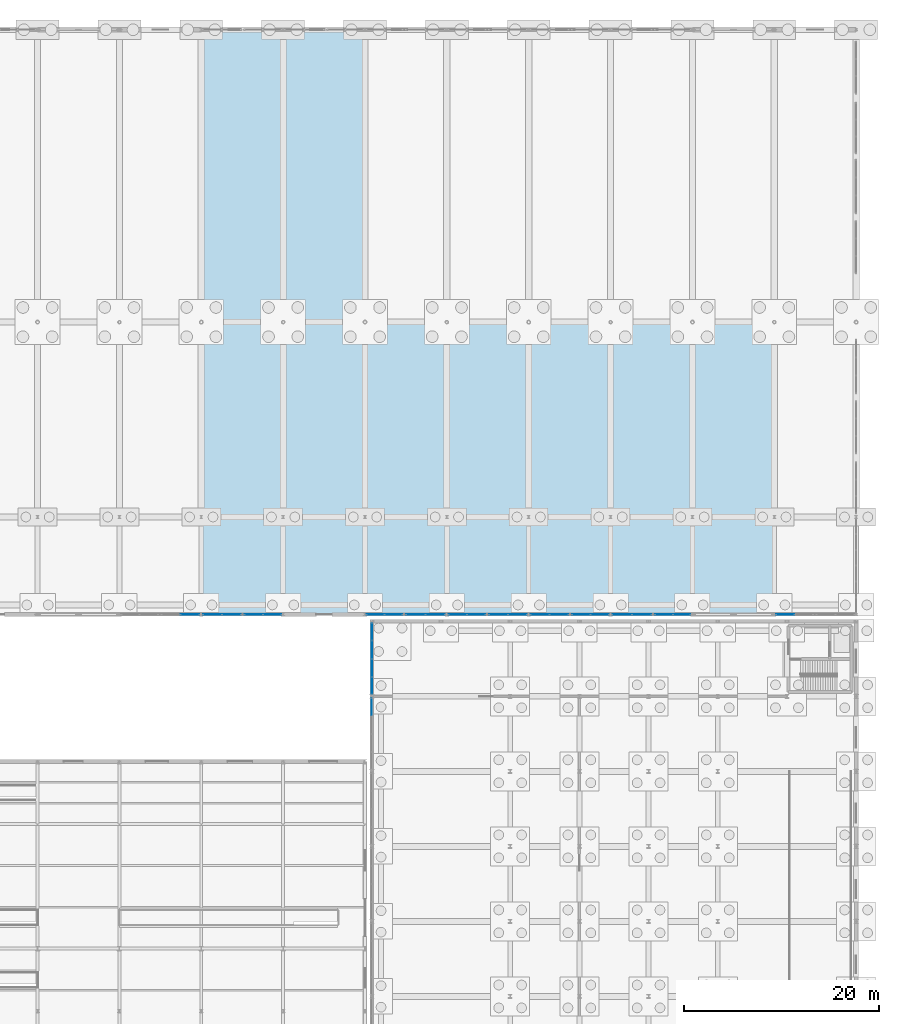
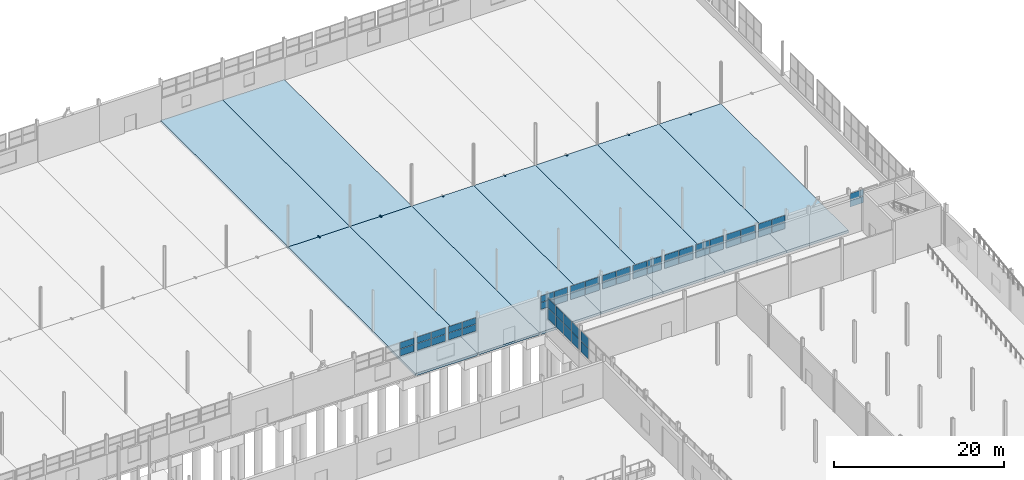
# One storey, part 108 of 139: 54 plates, 9 slabs, 14 elements without a shape of their own.
"""IFC4 building model written with IfcOpenShell, lengths in metres."""

from ifc_helpers import new_model, si_unit, direction, frame, origin, origin_2d, place, context, subcontext, project, spatial, polyline, rectangle, outline, extrude, material, layer, layer_set, type_object, element, aggregate, save


model = new_model("IFC4")

# Units and contexts
model_context = context("Model", 3, precision=1e-05, world=origin(), true_north=direction((0.0, 1.0)))
body_context = subcontext(model_context, "Body", "Model", "MODEL_VIEW")
ifc_project = project(units=[si_unit("LENGTHUNIT", "METRE"), si_unit("AREAUNIT", "SQUARE_METRE"), si_unit("VOLUMEUNIT", "CUBIC_METRE"), si_unit("PLANEANGLEUNIT", "RADIAN"), si_unit("MASSUNIT", "GRAM", prefix="KILO")], contexts=[model_context])

# Site, building, storey
site_placement = place(None, origin())
site = spatial("IfcSite", under=ifc_project, at=site_placement, CompositionType="ELEMENT")
building_placement = place(site_placement, origin())
building = spatial("IfcBuilding", under=site, at=building_placement, Name="Kazenagashi Tramway Depot", CompositionType="ELEMENT")
storey_placement = place(building_placement, origin())
storey = spatial("IfcBuildingStorey", under=building, at=storey_placement, Name="L01", CompositionType="ELEMENT", Elevation=0.0)

# Curtain wall, plates
ifc_material_1 = material(Name="Anodised Aluminium and Low-E Glazing", Category="aluminium")
curtain_wall_type_1 = type_object("IfcCurtainWallType", Name="CW-10", PredefinedType="USERDEFINED", material=ifc_material_1)
curtain_wall_1_placement = place(storey_placement, origin())
curtain_wall_1 = element("IfcCurtainWall", 1, at=curtain_wall_1_placement, inside=storey, type_object=curtain_wall_type_1, Name="Industrial Glazed Screen CW-10 CW-0050", ObjectType="GLAZED SCREEN", PredefinedType="USERDEFINED")
ifc_material_2 = material(Name="Tempered Laminated Low-E Glass", Category="glass")
ifc_layer_1 = layer(ifc_material_2, 0.018)
ifc_layer_set_1 = layer_set([ifc_layer_1], Name="Tempered Laminated Low-E Glass")
plate_type_1 = type_object("IfcPlateType", Name="GL-02", PredefinedType="CURTAIN_PANEL", material=ifc_layer_set_1)
plate_1_placement = place(storey_placement, frame((171.9775, 70.0, 3.26), z_axis=(0.0, 0.0, 1.0), x_axis=(1.0, 0.0, 0.0)))
plate_1 = element("IfcPlate", 2, at=plate_1_placement, type_object=plate_type_1, Name="CW-10 panel 1.1", PredefinedType="CURTAIN_PANEL", context=body_context, shape_type="SweptSolid", body=[
    extrude(rectangle(XDim=1.955, YDim=0.018, at=origin_2d()), origin(), (0.0, 0.0, 1.0), 0.974),
])
plate_2_placement = place(storey_placement, frame((171.9775, 70.0, 4.294), z_axis=(0.0, 0.0, 1.0), x_axis=(1.0, 0.0, 0.0)))
plate_2 = element("IfcPlate", 3, at=plate_2_placement, type_object=plate_type_1, Name="CW-10 panel 1.2", PredefinedType="CURTAIN_PANEL", context=body_context, shape_type="SweptSolid", body=[
    extrude(rectangle(XDim=1.955, YDim=0.018, at=origin_2d()), origin(), (0.0, 0.0, 1.0), 0.893),
])
plate_3_placement = place(storey_placement, frame((173.9925, 70.0, 3.26), z_axis=(0.0, 0.0, 1.0), x_axis=(1.0, 0.0, 0.0)))
plate_3 = element("IfcPlate", 4, at=plate_3_placement, type_object=plate_type_1, Name="CW-10 panel 2.1", PredefinedType="CURTAIN_PANEL", context=body_context, shape_type="SweptSolid", body=[
    extrude(rectangle(XDim=1.955, YDim=0.018, at=origin_2d()), origin(), (0.0, 0.0, 1.0), 0.974),
])
plate_4_placement = place(storey_placement, frame((173.9925, 70.0, 4.294), z_axis=(0.0, 0.0, 1.0), x_axis=(1.0, 0.0, 0.0)))
plate_4 = element("IfcPlate", 5, at=plate_4_placement, type_object=plate_type_1, Name="CW-10 panel 2.2", PredefinedType="CURTAIN_PANEL", context=body_context, shape_type="SweptSolid", body=[
    extrude(rectangle(XDim=1.955, YDim=0.018, at=origin_2d()), origin(), (0.0, 0.0, 1.0), 0.893),
])
aggregate(curtain_wall_1, [plate_1, plate_2, plate_3, plate_4])

curtain_wall_type_2 = type_object("IfcCurtainWallType", Name="CW-13", PredefinedType="USERDEFINED", material=ifc_material_1)
curtain_wall_2_placement = place(storey_placement, origin())
curtain_wall_2 = element("IfcCurtainWall", 6, at=curtain_wall_2_placement, inside=storey, type_object=curtain_wall_type_2, Name="Industrial Glazed Screen CW-13 CW-0035", ObjectType="GLAZED SCREEN", PredefinedType="USERDEFINED")
ifc_layer_2 = layer(ifc_material_2, 0.02)
ifc_layer_set_2 = layer_set([ifc_layer_2], Name="Tempered Laminated Low-E Glass")
plate_type_2 = type_object("IfcPlateType", Name="GL-03", PredefinedType="CURTAIN_PANEL", material=ifc_layer_set_2)
plate_5_placement = place(storey_placement, frame((127.6525, 70.0, 3.26), z_axis=(0.0, 0.0, 1.0), x_axis=(1.0, 0.0, 0.0)))
plate_5 = element("IfcPlate", 7, at=plate_5_placement, type_object=plate_type_2, Name="CW-13 panel 2.1", PredefinedType="CURTAIN_PANEL", context=body_context, shape_type="SweptSolid", body=[
    extrude(rectangle(XDim=1.895, YDim=0.02, at=origin_2d()), origin(), (0.0, 0.0, 1.0), 0.974),
])
plate_6_placement = place(storey_placement, frame((127.6525, 70.0, 4.294), z_axis=(0.0, 0.0, 1.0), x_axis=(1.0, 0.0, 0.0)))
plate_6 = element("IfcPlate", 8, at=plate_6_placement, type_object=plate_type_2, Name="CW-13 panel 2.2", PredefinedType="CURTAIN_PANEL", context=body_context, shape_type="SweptSolid", body=[
    extrude(rectangle(XDim=1.895, YDim=0.02, at=origin_2d()), origin(), (0.0, 0.0, 1.0), 0.893),
])
aggregate(curtain_wall_2, [plate_5, plate_6])

curtain_wall_type_3 = type_object("IfcCurtainWallType", Name="CW-09", PredefinedType="USERDEFINED", material=ifc_material_1)
curtain_wall_3_placement = place(storey_placement, origin())
curtain_wall_3 = element("IfcCurtainWall", 9, at=curtain_wall_3_placement, inside=storey, type_object=curtain_wall_type_3, Name="Industrial Glazed Screen CW-09 CW-0051", ObjectType="GLAZED SCREEN", PredefinedType="USERDEFINED")
plate_7_placement = place(storey_placement, frame((176.2775, 70.0, 3.26), z_axis=(0.0, 0.0, 1.0), x_axis=(1.0, 0.0, 0.0)))
plate_7 = element("IfcPlate", 10, at=plate_7_placement, type_object=plate_type_2, Name="CW-09 panel 1.1", PredefinedType="CURTAIN_PANEL", context=body_context, shape_type="SweptSolid", body=[
    extrude(rectangle(XDim=1.775, YDim=0.02, at=origin_2d()), origin(), (0.0, 0.0, 1.0), 0.974),
])
plate_8_placement = place(storey_placement, frame((176.2775, 70.0, 4.294), z_axis=(0.0, 0.0, 1.0), x_axis=(1.0, 0.0, 0.0)))
plate_8 = element("IfcPlate", 11, at=plate_8_placement, type_object=plate_type_2, Name="CW-09 panel 1.2", PredefinedType="CURTAIN_PANEL", context=body_context, shape_type="SweptSolid", body=[
    extrude(rectangle(XDim=1.775, YDim=0.02, at=origin_2d()), origin(), (0.0, 0.0, 1.0), 0.893),
])
plate_9_placement = place(storey_placement, frame((178.1125, 70.0, 3.26), z_axis=(0.0, 0.0, 1.0), x_axis=(1.0, 0.0, 0.0)))
plate_9 = element("IfcPlate", 12, at=plate_9_placement, type_object=plate_type_2, Name="CW-09 panel 2.1", PredefinedType="CURTAIN_PANEL", context=body_context, shape_type="SweptSolid", body=[
    extrude(rectangle(XDim=1.775, YDim=0.02, at=origin_2d()), origin(), (0.0, 0.0, 1.0), 0.974),
])
plate_10_placement = place(storey_placement, frame((178.1125, 70.0, 4.294), z_axis=(0.0, 0.0, 1.0), x_axis=(1.0, 0.0, 0.0)))
plate_10 = element("IfcPlate", 13, at=plate_10_placement, type_object=plate_type_2, Name="CW-09 panel 2.2", PredefinedType="CURTAIN_PANEL", context=body_context, shape_type="SweptSolid", body=[
    extrude(rectangle(XDim=1.775, YDim=0.02, at=origin_2d()), origin(), (0.0, 0.0, 1.0), 0.893),
])
aggregate(curtain_wall_3, [plate_7, plate_8, plate_9, plate_10])

curtain_wall_4_placement = place(storey_placement, origin())
curtain_wall_4 = element("IfcCurtainWall", 14, at=curtain_wall_4_placement, inside=storey, type_object=curtain_wall_type_2, Name="Industrial Glazed Screen CW-13 CW-0037", ObjectType="GLAZED SCREEN", PredefinedType="USERDEFINED")
ifc_layer_3 = layer(ifc_material_2, 0.024)
ifc_layer_set_3 = layer_set([ifc_layer_3], Name="Tempered Laminated Low-E Glass")
plate_type_3 = type_object("IfcPlateType", Name="GL-05", PredefinedType="CURTAIN_PANEL", material=ifc_layer_set_3)
plate_11_placement = place(storey_placement, frame((129.9475, 70.0, 3.26), z_axis=(0.0, 0.0, 1.0), x_axis=(1.0, 0.0, 0.0)))
plate_11 = element("IfcPlate", 15, at=plate_11_placement, type_object=plate_type_3, Name="CW-13 panel 1.1", PredefinedType="CURTAIN_PANEL", context=body_context, shape_type="SweptSolid", body=[
    extrude(rectangle(XDim=1.895, YDim=0.024, at=origin_2d()), origin(), (0.0, 0.0, 1.0), 0.974),
])
plate_12_placement = place(storey_placement, frame((129.9475, 70.0, 4.294), z_axis=(0.0, 0.0, 1.0), x_axis=(1.0, 0.0, 0.0)))
plate_12 = element("IfcPlate", 16, at=plate_12_placement, type_object=plate_type_3, Name="CW-13 panel 1.2", PredefinedType="CURTAIN_PANEL", context=body_context, shape_type="SweptSolid", body=[
    extrude(rectangle(XDim=1.895, YDim=0.024, at=origin_2d()), origin(), (0.0, 0.0, 1.0), 0.893),
])
plate_13_placement = place(storey_placement, frame((131.9025, 70.0, 3.26), z_axis=(0.0, 0.0, 1.0), x_axis=(1.0, 0.0, 0.0)))
plate_13 = element("IfcPlate", 17, at=plate_13_placement, type_object=plate_type_3, Name="CW-13 panel 2.1", PredefinedType="CURTAIN_PANEL", context=body_context, shape_type="SweptSolid", body=[
    extrude(rectangle(XDim=1.895, YDim=0.024, at=origin_2d()), origin(), (0.0, 0.0, 1.0), 0.974),
])
plate_14_placement = place(storey_placement, frame((131.9025, 70.0, 4.294), z_axis=(0.0, 0.0, 1.0), x_axis=(1.0, 0.0, 0.0)))
plate_14 = element("IfcPlate", 18, at=plate_14_placement, type_object=plate_type_3, Name="CW-13 panel 2.2", PredefinedType="CURTAIN_PANEL", context=body_context, shape_type="SweptSolid", body=[
    extrude(rectangle(XDim=1.895, YDim=0.024, at=origin_2d()), origin(), (0.0, 0.0, 1.0), 0.893),
])
aggregate(curtain_wall_4, [plate_11, plate_12, plate_13, plate_14])

curtain_wall_type_4 = type_object("IfcCurtainWallType", Name="CW-12", PredefinedType="USERDEFINED", material=ifc_material_1)
curtain_wall_5_placement = place(storey_placement, origin())
curtain_wall_5 = element("IfcCurtainWall", 19, at=curtain_wall_5_placement, inside=storey, type_object=curtain_wall_type_4, Name="Industrial Glazed Screen CW-12 CW-0053", ObjectType="GLAZED SCREEN", PredefinedType="USERDEFINED")
plate_15_placement = place(storey_placement, frame((188.7175, 70.0, 3.26), z_axis=(0.0, 0.0, 1.0), x_axis=(1.0, 0.0, 0.0)))
plate_15 = element("IfcPlate", 20, at=plate_15_placement, type_object=plate_type_3, Name="CW-12 panel 1.1", PredefinedType="CURTAIN_PANEL", context=body_context, shape_type="SweptSolid", body=[
    extrude(rectangle(XDim=1.835, YDim=0.024, at=origin_2d()), origin(), (0.0, 0.0, 1.0), 0.974),
])
plate_16_placement = place(storey_placement, frame((188.7175, 70.0, 4.294), z_axis=(0.0, 0.0, 1.0), x_axis=(1.0, 0.0, 0.0)))
plate_16 = element("IfcPlate", 21, at=plate_16_placement, type_object=plate_type_3, Name="CW-12 panel 1.2", PredefinedType="CURTAIN_PANEL", context=body_context, shape_type="SweptSolid", body=[
    extrude(rectangle(XDim=1.835, YDim=0.024, at=origin_2d()), origin(), (0.0, 0.0, 1.0), 0.893),
])
aggregate(curtain_wall_5, [plate_15, plate_16])

curtain_wall_6_placement = place(storey_placement, origin())
curtain_wall_6 = element("IfcCurtainWall", 22, at=curtain_wall_6_placement, inside=storey, type_object=curtain_wall_type_4, Name="Industrial Glazed Screen CW-12 CW-0038", ObjectType="GLAZED SCREEN", PredefinedType="USERDEFINED")
ifc_layer_4 = layer(ifc_material_2, 0.026)
ifc_layer_set_4 = layer_set([ifc_layer_4], Name="Tempered Laminated Low-E Glass")
plate_type_4 = type_object("IfcPlateType", Name="GL-06", PredefinedType="CURTAIN_PANEL", material=ifc_layer_set_4)
plate_17_placement = place(storey_placement, frame((134.1875, 70.0, 3.26), z_axis=(0.0, 0.0, 1.0), x_axis=(1.0, 0.0, 0.0)))
plate_17 = element("IfcPlate", 23, at=plate_17_placement, type_object=plate_type_4, Name="CW-12 panel 1.1", PredefinedType="CURTAIN_PANEL", context=body_context, shape_type="SweptSolid", body=[
    extrude(rectangle(XDim=1.835, YDim=0.026, at=origin_2d()), origin(), (0.0, 0.0, 1.0), 0.974),
])
plate_18_placement = place(storey_placement, frame((134.1875, 70.0, 4.294), z_axis=(0.0, 0.0, 1.0), x_axis=(1.0, 0.0, 0.0)))
plate_18 = element("IfcPlate", 24, at=plate_18_placement, type_object=plate_type_4, Name="CW-12 panel 1.2", PredefinedType="CURTAIN_PANEL", context=body_context, shape_type="SweptSolid", body=[
    extrude(rectangle(XDim=1.835, YDim=0.026, at=origin_2d()), origin(), (0.0, 0.0, 1.0), 0.893),
])
plate_19_placement = place(storey_placement, frame((136.0825, 70.0, 3.26), z_axis=(0.0, 0.0, 1.0), x_axis=(1.0, 0.0, 0.0)))
plate_19 = element("IfcPlate", 25, at=plate_19_placement, type_object=plate_type_4, Name="CW-12 panel 2.1", PredefinedType="CURTAIN_PANEL", context=body_context, shape_type="SweptSolid", body=[
    extrude(rectangle(XDim=1.835, YDim=0.026, at=origin_2d()), origin(), (0.0, 0.0, 1.0), 0.974),
])
plate_20_placement = place(storey_placement, frame((136.0825, 70.0, 4.294), z_axis=(0.0, 0.0, 1.0), x_axis=(1.0, 0.0, 0.0)))
plate_20 = element("IfcPlate", 26, at=plate_20_placement, type_object=plate_type_4, Name="CW-12 panel 2.2", PredefinedType="CURTAIN_PANEL", context=body_context, shape_type="SweptSolid", body=[
    extrude(rectangle(XDim=1.835, YDim=0.026, at=origin_2d()), origin(), (0.0, 0.0, 1.0), 0.893),
])
aggregate(curtain_wall_6, [plate_17, plate_18, plate_19, plate_20])

curtain_wall_7_placement = place(storey_placement, origin())
curtain_wall_7 = element("IfcCurtainWall", 27, at=curtain_wall_7_placement, inside=storey, type_object=curtain_wall_type_3, Name="Industrial Glazed Screen CW-09 CW-0041", ObjectType="GLAZED SCREEN", PredefinedType="USERDEFINED")
ifc_layer_5 = layer(ifc_material_2, 0.032)
ifc_layer_set_5 = layer_set([ifc_layer_5], Name="Tempered Laminated Low-E Glass")
plate_type_5 = type_object("IfcPlateType", Name="GL-09", PredefinedType="CURTAIN_PANEL", material=ifc_layer_set_5)
plate_21_placement = place(storey_placement, frame((146.6875, 70.0, 3.26), z_axis=(0.0, 0.0, 1.0), x_axis=(1.0, 0.0, 0.0)))
plate_21 = element("IfcPlate", 28, at=plate_21_placement, type_object=plate_type_5, Name="CW-09 panel 1.1", PredefinedType="CURTAIN_PANEL", context=body_context, shape_type="SweptSolid", body=[
    extrude(rectangle(XDim=1.775, YDim=0.032, at=origin_2d()), origin(), (0.0, 0.0, 1.0), 0.974),
])
plate_22_placement = place(storey_placement, frame((146.6875, 70.0, 4.294), z_axis=(0.0, 0.0, 1.0), x_axis=(1.0, 0.0, 0.0)))
plate_22 = element("IfcPlate", 29, at=plate_22_placement, type_object=plate_type_5, Name="CW-09 panel 1.2", PredefinedType="CURTAIN_PANEL", context=body_context, shape_type="SweptSolid", body=[
    extrude(rectangle(XDim=1.775, YDim=0.032, at=origin_2d()), origin(), (0.0, 0.0, 1.0), 0.893),
])
plate_23_placement = place(storey_placement, frame((148.5225, 70.0, 3.26), z_axis=(0.0, 0.0, 1.0), x_axis=(1.0, 0.0, 0.0)))
plate_23 = element("IfcPlate", 30, at=plate_23_placement, type_object=plate_type_5, Name="CW-09 panel 2.1", PredefinedType="CURTAIN_PANEL", context=body_context, shape_type="SweptSolid", body=[
    extrude(rectangle(XDim=1.775, YDim=0.032, at=origin_2d()), origin(), (0.0, 0.0, 1.0), 0.974),
])
plate_24_placement = place(storey_placement, frame((148.5225, 70.0, 4.294), z_axis=(0.0, 0.0, 1.0), x_axis=(1.0, 0.0, 0.0)))
plate_24 = element("IfcPlate", 31, at=plate_24_placement, type_object=plate_type_5, Name="CW-09 panel 2.2", PredefinedType="CURTAIN_PANEL", context=body_context, shape_type="SweptSolid", body=[
    extrude(rectangle(XDim=1.775, YDim=0.032, at=origin_2d()), origin(), (0.0, 0.0, 1.0), 0.893),
])
aggregate(curtain_wall_7, [plate_21, plate_22, plate_23, plate_24])

curtain_wall_8_placement = place(storey_placement, origin())
curtain_wall_8 = element("IfcCurtainWall", 32, at=curtain_wall_8_placement, inside=storey, type_object=curtain_wall_type_1, Name="Industrial Glazed Screen CW-10 CW-0042", ObjectType="GLAZED SCREEN", PredefinedType="USERDEFINED")
ifc_layer_6 = layer(ifc_material_2, 0.034)
ifc_layer_set_6 = layer_set([ifc_layer_6], Name="Tempered Laminated Low-E Glass")
plate_type_6 = type_object("IfcPlateType", Name="GL-10", PredefinedType="CURTAIN_PANEL", material=ifc_layer_set_6)
plate_25_placement = place(storey_placement, frame((150.8075, 70.0, 3.26), z_axis=(0.0, 0.0, 1.0), x_axis=(1.0, 0.0, 0.0)))
plate_25 = element("IfcPlate", 33, at=plate_25_placement, type_object=plate_type_6, Name="CW-10 panel 1.1", PredefinedType="CURTAIN_PANEL", context=body_context, shape_type="SweptSolid", body=[
    extrude(rectangle(XDim=1.955, YDim=0.034, at=origin_2d()), origin(), (0.0, 0.0, 1.0), 0.974),
])
plate_26_placement = place(storey_placement, frame((150.8075, 70.0, 4.294), z_axis=(0.0, 0.0, 1.0), x_axis=(1.0, 0.0, 0.0)))
plate_26 = element("IfcPlate", 34, at=plate_26_placement, type_object=plate_type_6, Name="CW-10 panel 1.2", PredefinedType="CURTAIN_PANEL", context=body_context, shape_type="SweptSolid", body=[
    extrude(rectangle(XDim=1.955, YDim=0.034, at=origin_2d()), origin(), (0.0, 0.0, 1.0), 0.893),
])
plate_27_placement = place(storey_placement, frame((152.8225, 70.0, 3.26), z_axis=(0.0, 0.0, 1.0), x_axis=(1.0, 0.0, 0.0)))
plate_27 = element("IfcPlate", 35, at=plate_27_placement, type_object=plate_type_6, Name="CW-10 panel 2.1", PredefinedType="CURTAIN_PANEL", context=body_context, shape_type="SweptSolid", body=[
    extrude(rectangle(XDim=1.955, YDim=0.034, at=origin_2d()), origin(), (0.0, 0.0, 1.0), 0.974),
])
plate_28_placement = place(storey_placement, frame((152.8225, 70.0, 4.294), z_axis=(0.0, 0.0, 1.0), x_axis=(1.0, 0.0, 0.0)))
plate_28 = element("IfcPlate", 36, at=plate_28_placement, type_object=plate_type_6, Name="CW-10 panel 2.2", PredefinedType="CURTAIN_PANEL", context=body_context, shape_type="SweptSolid", body=[
    extrude(rectangle(XDim=1.955, YDim=0.034, at=origin_2d()), origin(), (0.0, 0.0, 1.0), 0.893),
])
aggregate(curtain_wall_8, [plate_25, plate_26, plate_27, plate_28])

curtain_wall_type_5 = type_object("IfcCurtainWallType", Name="CW-30", PredefinedType="USERDEFINED", material=ifc_material_1)
curtain_wall_9_placement = place(storey_placement, origin())
curtain_wall_9 = element("IfcCurtainWall", 37, at=curtain_wall_9_placement, inside=storey, type_object=curtain_wall_type_5, Name="Industrial Glazed Screen CW-30 CW-0170", ObjectType="GLAZED SCREEN", PredefinedType="USERDEFINED")
plate_29_placement = place(storey_placement, frame((146.3, 60.5175, 2.26), z_axis=(0.0, 0.0, 1.0), x_axis=(0.0, 1.0, 0.0)))
plate_29 = element("IfcPlate", 38, at=plate_29_placement, type_object=plate_type_6, Name="CW-30 panel 4.1", PredefinedType="CURTAIN_PANEL", context=body_context, shape_type="SweptSolid", body=[
    extrude(rectangle(XDim=1.765, YDim=0.034, at=origin_2d()), origin(), (0.0, 0.0, 1.0), 1.532),
])
plate_30_placement = place(storey_placement, frame((146.3, 60.5175, 3.852), z_axis=(0.0, 0.0, 1.0), x_axis=(0.0, 1.0, 0.0)))
plate_30 = element("IfcPlate", 39, at=plate_30_placement, type_object=plate_type_6, Name="CW-30 panel 4.2", PredefinedType="CURTAIN_PANEL", context=body_context, shape_type="SweptSolid", body=[
    extrude(rectangle(XDim=1.765, YDim=0.034, at=origin_2d()), origin(), (0.0, 0.0, 1.0), 1.408),
])
aggregate(curtain_wall_9, [plate_29, plate_30])

curtain_wall_10_placement = place(storey_placement, origin())
curtain_wall_10 = element("IfcCurtainWall", 40, at=curtain_wall_10_placement, inside=storey, type_object=curtain_wall_type_4, Name="Industrial Glazed Screen CW-12 CW-0044", ObjectType="GLAZED SCREEN", PredefinedType="USERDEFINED")
ifc_layer_7 = layer(ifc_material_2, 0.038)
ifc_layer_set_7 = layer_set([ifc_layer_7], Name="Tempered Laminated Low-E Glass")
plate_type_7 = type_object("IfcPlateType", Name="GL-12", PredefinedType="CURTAIN_PANEL", material=ifc_layer_set_7)
plate_31_placement = place(storey_placement, frame((155.1175, 70.0, 3.26), z_axis=(0.0, 0.0, 1.0), x_axis=(1.0, 0.0, 0.0)))
plate_31 = element("IfcPlate", 41, at=plate_31_placement, type_object=plate_type_7, Name="CW-12 panel 1.1", PredefinedType="CURTAIN_PANEL", context=body_context, shape_type="SweptSolid", body=[
    extrude(rectangle(XDim=1.835, YDim=0.038, at=origin_2d()), origin(), (0.0, 0.0, 1.0), 0.974),
])
plate_32_placement = place(storey_placement, frame((155.1175, 70.0, 4.294), z_axis=(0.0, 0.0, 1.0), x_axis=(1.0, 0.0, 0.0)))
plate_32 = element("IfcPlate", 42, at=plate_32_placement, type_object=plate_type_7, Name="CW-12 panel 1.2", PredefinedType="CURTAIN_PANEL", context=body_context, shape_type="SweptSolid", body=[
    extrude(rectangle(XDim=1.835, YDim=0.038, at=origin_2d()), origin(), (0.0, 0.0, 1.0), 0.893),
])
plate_33_placement = place(storey_placement, frame((157.0125, 70.0, 3.26), z_axis=(0.0, 0.0, 1.0), x_axis=(1.0, 0.0, 0.0)))
plate_33 = element("IfcPlate", 43, at=plate_33_placement, type_object=plate_type_7, Name="CW-12 panel 2.1", PredefinedType="CURTAIN_PANEL", context=body_context, shape_type="SweptSolid", body=[
    extrude(rectangle(XDim=1.835, YDim=0.038, at=origin_2d()), origin(), (0.0, 0.0, 1.0), 0.974),
])
plate_34_placement = place(storey_placement, frame((157.0125, 70.0, 4.294), z_axis=(0.0, 0.0, 1.0), x_axis=(1.0, 0.0, 0.0)))
plate_34 = element("IfcPlate", 44, at=plate_34_placement, type_object=plate_type_7, Name="CW-12 panel 2.2", PredefinedType="CURTAIN_PANEL", context=body_context, shape_type="SweptSolid", body=[
    extrude(rectangle(XDim=1.835, YDim=0.038, at=origin_2d()), origin(), (0.0, 0.0, 1.0), 0.893),
])
aggregate(curtain_wall_10, [plate_31, plate_32, plate_33, plate_34])

curtain_wall_11_placement = place(storey_placement, origin())
curtain_wall_11 = element("IfcCurtainWall", 45, at=curtain_wall_11_placement, inside=storey, type_object=curtain_wall_type_5, Name="Industrial Glazed Screen CW-30 CW-0172", ObjectType="GLAZED SCREEN", PredefinedType="USERDEFINED")
plate_35_placement = place(storey_placement, frame((146.3, 62.6825, 2.26), z_axis=(0.0, 0.0, 1.0), x_axis=(0.0, 1.0, 0.0)))
plate_35 = element("IfcPlate", 46, at=plate_35_placement, type_object=plate_type_7, Name="CW-30 panel 1.1", PredefinedType="CURTAIN_PANEL", context=body_context, shape_type="SweptSolid", body=[
    extrude(rectangle(XDim=1.765, YDim=0.038, at=origin_2d()), origin(), (0.0, 0.0, 1.0), 1.532),
])
plate_36_placement = place(storey_placement, frame((146.3, 62.6825, 3.852), z_axis=(0.0, 0.0, 1.0), x_axis=(0.0, 1.0, 0.0)))
plate_36 = element("IfcPlate", 47, at=plate_36_placement, type_object=plate_type_7, Name="CW-30 panel 1.2", PredefinedType="CURTAIN_PANEL", context=body_context, shape_type="SweptSolid", body=[
    extrude(rectangle(XDim=1.765, YDim=0.038, at=origin_2d()), origin(), (0.0, 0.0, 1.0), 1.408),
])
plate_37_placement = place(storey_placement, frame((146.3, 64.5225, 2.26), z_axis=(0.0, 0.0, 1.0), x_axis=(0.0, 1.0, 0.0)))
plate_37 = element("IfcPlate", 48, at=plate_37_placement, type_object=plate_type_7, Name="CW-30 panel 2.1", PredefinedType="CURTAIN_PANEL", context=body_context, shape_type="SweptSolid", body=[
    extrude(rectangle(XDim=1.795, YDim=0.038, at=origin_2d()), origin(), (0.0, 0.0, 1.0), 1.532),
])
plate_38_placement = place(storey_placement, frame((146.3, 64.5225, 3.852), z_axis=(0.0, 0.0, 1.0), x_axis=(0.0, 1.0, 0.0)))
plate_38 = element("IfcPlate", 49, at=plate_38_placement, type_object=plate_type_7, Name="CW-30 panel 2.2", PredefinedType="CURTAIN_PANEL", context=body_context, shape_type="SweptSolid", body=[
    extrude(rectangle(XDim=1.795, YDim=0.038, at=origin_2d()), origin(), (0.0, 0.0, 1.0), 1.408),
])
plate_39_placement = place(storey_placement, frame((146.3, 66.3775, 2.26), z_axis=(0.0, 0.0, 1.0), x_axis=(0.0, 1.0, 0.0)))
plate_39 = element("IfcPlate", 50, at=plate_39_placement, type_object=plate_type_7, Name="CW-30 panel 3.1", PredefinedType="CURTAIN_PANEL", context=body_context, shape_type="SweptSolid", body=[
    extrude(rectangle(XDim=1.795, YDim=0.038, at=origin_2d()), origin(), (0.0, 0.0, 1.0), 1.532),
])
plate_40_placement = place(storey_placement, frame((146.3, 66.3775, 3.852), z_axis=(0.0, 0.0, 1.0), x_axis=(0.0, 1.0, 0.0)))
plate_40 = element("IfcPlate", 51, at=plate_40_placement, type_object=plate_type_7, Name="CW-30 panel 3.2", PredefinedType="CURTAIN_PANEL", context=body_context, shape_type="SweptSolid", body=[
    extrude(rectangle(XDim=1.795, YDim=0.038, at=origin_2d()), origin(), (0.0, 0.0, 1.0), 1.408),
])
plate_41_placement = place(storey_placement, frame((146.3, 68.2175, 2.26), z_axis=(0.0, 0.0, 1.0), x_axis=(0.0, 1.0, 0.0)))
plate_41 = element("IfcPlate", 52, at=plate_41_placement, type_object=plate_type_7, Name="CW-30 panel 4.1", PredefinedType="CURTAIN_PANEL", context=body_context, shape_type="SweptSolid", body=[
    extrude(rectangle(XDim=1.765, YDim=0.038, at=origin_2d()), origin(), (0.0, 0.0, 1.0), 1.532),
])
plate_42_placement = place(storey_placement, frame((146.3, 68.2175, 3.852), z_axis=(0.0, 0.0, 1.0), x_axis=(0.0, 1.0, 0.0)))
plate_42 = element("IfcPlate", 53, at=plate_42_placement, type_object=plate_type_7, Name="CW-30 panel 4.2", PredefinedType="CURTAIN_PANEL", context=body_context, shape_type="SweptSolid", body=[
    extrude(rectangle(XDim=1.765, YDim=0.038, at=origin_2d()), origin(), (0.0, 0.0, 1.0), 1.408),
])
aggregate(curtain_wall_11, [plate_35, plate_36, plate_37, plate_38, plate_39, plate_40, plate_41, plate_42])

curtain_wall_12_placement = place(storey_placement, origin())
curtain_wall_12 = element("IfcCurtainWall", 54, at=curtain_wall_12_placement, inside=storey, type_object=curtain_wall_type_2, Name="Industrial Glazed Screen CW-13 CW-0045", ObjectType="GLAZED SCREEN", PredefinedType="USERDEFINED")
ifc_layer_8 = layer(ifc_material_2, 0.04)
ifc_layer_set_8 = layer_set([ifc_layer_8], Name="Tempered Laminated Low-E Glass")
plate_type_8 = type_object("IfcPlateType", Name="GL-13", PredefinedType="CURTAIN_PANEL", material=ifc_layer_set_8)
plate_43_placement = place(storey_placement, frame((159.2975, 70.0, 3.26), z_axis=(0.0, 0.0, 1.0), x_axis=(1.0, 0.0, 0.0)))
plate_43 = element("IfcPlate", 55, at=plate_43_placement, type_object=plate_type_8, Name="CW-13 panel 1.1", PredefinedType="CURTAIN_PANEL", context=body_context, shape_type="SweptSolid", body=[
    extrude(rectangle(XDim=1.895, YDim=0.04, at=origin_2d()), origin(), (0.0, 0.0, 1.0), 0.974),
])
plate_44_placement = place(storey_placement, frame((159.2975, 70.0, 4.294), z_axis=(0.0, 0.0, 1.0), x_axis=(1.0, 0.0, 0.0)))
plate_44 = element("IfcPlate", 56, at=plate_44_placement, type_object=plate_type_8, Name="CW-13 panel 1.2", PredefinedType="CURTAIN_PANEL", context=body_context, shape_type="SweptSolid", body=[
    extrude(rectangle(XDim=1.895, YDim=0.04, at=origin_2d()), origin(), (0.0, 0.0, 1.0), 0.893),
])
plate_45_placement = place(storey_placement, frame((161.2525, 70.0, 3.26), z_axis=(0.0, 0.0, 1.0), x_axis=(1.0, 0.0, 0.0)))
plate_45 = element("IfcPlate", 57, at=plate_45_placement, type_object=plate_type_8, Name="CW-13 panel 2.1", PredefinedType="CURTAIN_PANEL", context=body_context, shape_type="SweptSolid", body=[
    extrude(rectangle(XDim=1.895, YDim=0.04, at=origin_2d()), origin(), (0.0, 0.0, 1.0), 0.974),
])
plate_46_placement = place(storey_placement, frame((161.2525, 70.0, 4.294), z_axis=(0.0, 0.0, 1.0), x_axis=(1.0, 0.0, 0.0)))
plate_46 = element("IfcPlate", 58, at=plate_46_placement, type_object=plate_type_8, Name="CW-13 panel 2.2", PredefinedType="CURTAIN_PANEL", context=body_context, shape_type="SweptSolid", body=[
    extrude(rectangle(XDim=1.895, YDim=0.04, at=origin_2d()), origin(), (0.0, 0.0, 1.0), 0.893),
])
aggregate(curtain_wall_12, [plate_43, plate_44, plate_45, plate_46])

curtain_wall_13_placement = place(storey_placement, origin())
curtain_wall_13 = element("IfcCurtainWall", 59, at=curtain_wall_13_placement, inside=storey, type_object=curtain_wall_type_2, Name="Industrial Glazed Screen CW-13 CW-0047", ObjectType="GLAZED SCREEN", PredefinedType="USERDEFINED")
ifc_layer_9 = layer(ifc_material_2, 0.044)
ifc_layer_set_9 = layer_set([ifc_layer_9], Name="Tempered Laminated Low-E Glass")
plate_type_9 = type_object("IfcPlateType", Name="GL-15", PredefinedType="CURTAIN_PANEL", material=ifc_layer_set_9)
plate_47_placement = place(storey_placement, frame((163.5475, 70.0, 3.26), z_axis=(0.0, 0.0, 1.0), x_axis=(1.0, 0.0, 0.0)))
plate_47 = element("IfcPlate", 60, at=plate_47_placement, type_object=plate_type_9, Name="CW-13 panel 1.1", PredefinedType="CURTAIN_PANEL", context=body_context, shape_type="SweptSolid", body=[
    extrude(rectangle(XDim=1.895, YDim=0.044, at=origin_2d()), origin(), (0.0, 0.0, 1.0), 0.974),
])
plate_48_placement = place(storey_placement, frame((163.5475, 70.0, 4.294), z_axis=(0.0, 0.0, 1.0), x_axis=(1.0, 0.0, 0.0)))
plate_48 = element("IfcPlate", 61, at=plate_48_placement, type_object=plate_type_9, Name="CW-13 panel 1.2", PredefinedType="CURTAIN_PANEL", context=body_context, shape_type="SweptSolid", body=[
    extrude(rectangle(XDim=1.895, YDim=0.044, at=origin_2d()), origin(), (0.0, 0.0, 1.0), 0.893),
])
plate_49_placement = place(storey_placement, frame((165.5025, 70.0, 3.26), z_axis=(0.0, 0.0, 1.0), x_axis=(1.0, 0.0, 0.0)))
plate_49 = element("IfcPlate", 62, at=plate_49_placement, type_object=plate_type_9, Name="CW-13 panel 2.1", PredefinedType="CURTAIN_PANEL", context=body_context, shape_type="SweptSolid", body=[
    extrude(rectangle(XDim=1.895, YDim=0.044, at=origin_2d()), origin(), (0.0, 0.0, 1.0), 0.974),
])
plate_50_placement = place(storey_placement, frame((165.5025, 70.0, 4.294), z_axis=(0.0, 0.0, 1.0), x_axis=(1.0, 0.0, 0.0)))
plate_50 = element("IfcPlate", 63, at=plate_50_placement, type_object=plate_type_9, Name="CW-13 panel 2.2", PredefinedType="CURTAIN_PANEL", context=body_context, shape_type="SweptSolid", body=[
    extrude(rectangle(XDim=1.895, YDim=0.044, at=origin_2d()), origin(), (0.0, 0.0, 1.0), 0.893),
])
aggregate(curtain_wall_13, [plate_47, plate_48, plate_49, plate_50])

curtain_wall_14_placement = place(storey_placement, origin())
curtain_wall_14 = element("IfcCurtainWall", 64, at=curtain_wall_14_placement, inside=storey, type_object=curtain_wall_type_4, Name="Industrial Glazed Screen CW-12 CW-0048", ObjectType="GLAZED SCREEN", PredefinedType="USERDEFINED")
ifc_layer_10 = layer(ifc_material_2, 0.046)
ifc_layer_set_10 = layer_set([ifc_layer_10], Name="Tempered Laminated Low-E Glass")
plate_type_10 = type_object("IfcPlateType", Name="GL-16", PredefinedType="CURTAIN_PANEL", material=ifc_layer_set_10)
plate_51_placement = place(storey_placement, frame((167.7875, 70.0, 3.26), z_axis=(0.0, 0.0, 1.0), x_axis=(1.0, 0.0, 0.0)))
plate_51 = element("IfcPlate", 65, at=plate_51_placement, type_object=plate_type_10, Name="CW-12 panel 1.1", PredefinedType="CURTAIN_PANEL", context=body_context, shape_type="SweptSolid", body=[
    extrude(rectangle(XDim=1.835, YDim=0.046, at=origin_2d()), origin(), (0.0, 0.0, 1.0), 0.974),
])
plate_52_placement = place(storey_placement, frame((167.7875, 70.0, 4.294), z_axis=(0.0, 0.0, 1.0), x_axis=(1.0, 0.0, 0.0)))
plate_52 = element("IfcPlate", 66, at=plate_52_placement, type_object=plate_type_10, Name="CW-12 panel 1.2", PredefinedType="CURTAIN_PANEL", context=body_context, shape_type="SweptSolid", body=[
    extrude(rectangle(XDim=1.835, YDim=0.046, at=origin_2d()), origin(), (0.0, 0.0, 1.0), 0.893),
])
plate_53_placement = place(storey_placement, frame((169.6825, 70.0, 3.26), z_axis=(0.0, 0.0, 1.0), x_axis=(1.0, 0.0, 0.0)))
plate_53 = element("IfcPlate", 67, at=plate_53_placement, type_object=plate_type_10, Name="CW-12 panel 2.1", PredefinedType="CURTAIN_PANEL", context=body_context, shape_type="SweptSolid", body=[
    extrude(rectangle(XDim=1.835, YDim=0.046, at=origin_2d()), origin(), (0.0, 0.0, 1.0), 0.974),
])
plate_54_placement = place(storey_placement, frame((169.6825, 70.0, 4.294), z_axis=(0.0, 0.0, 1.0), x_axis=(1.0, 0.0, 0.0)))
plate_54 = element("IfcPlate", 68, at=plate_54_placement, type_object=plate_type_10, Name="CW-12 panel 2.2", PredefinedType="CURTAIN_PANEL", context=body_context, shape_type="SweptSolid", body=[
    extrude(rectangle(XDim=1.835, YDim=0.046, at=origin_2d()), origin(), (0.0, 0.0, 1.0), 0.893),
])
aggregate(curtain_wall_14, [plate_51, plate_52, plate_53, plate_54])

# Slabs
ifc_material_3 = material(Name="Concrete Fc36", Category="concrete")
ifc_layer_11 = layer(ifc_material_3, 0.35)
ifc_layer_set_11 = layer_set([ifc_layer_11], Name="Concrete Fc36")
slab_type_1 = type_object("IfcSlabType", Name="SL-01", PredefinedType="BASESLAB", material=ifc_layer_set_11)
slab_1_placement = place(storey_placement, frame((0.0, 0.0, -0.35)))
element("IfcSlab", 69, at=slab_1_placement, inside=storey, type_object=slab_type_1, Name="Stabling Track Slab Bay 11A SLAB-029", PredefinedType="BASESLAB", context=body_context, shape_type="SweptSolid", body=[
    extrude(outline(polyline([(128.8, 70.0), (137.2, 70.0), (137.2, 100.0), (128.8, 100.0), (128.8, 70.0)]), holes=[polyline([(132.89, 99.74), (133.11, 99.74), (133.11, 99.96), (132.89, 99.96), (132.89, 99.74)])]), origin(), (0.0, 0.0, 1.0), 0.35),
])
slab_2_placement = place(storey_placement, frame((0.0, 0.0, -0.35)))
element("IfcSlab", 70, at=slab_2_placement, inside=storey, type_object=slab_type_1, Name="Stabling Track Slab Bay 11B SLAB-030", PredefinedType="BASESLAB", context=body_context, shape_type="SweptSolid", body=[
    extrude(outline(polyline([(128.8, 100.0), (137.2, 100.0), (137.2, 130.0), (128.8, 130.0), (128.8, 100.0)]), holes=[polyline([(132.89, 100.04), (133.11, 100.04), (133.11, 100.26), (132.89, 100.26), (132.89, 100.04)])]), origin(), (0.0, 0.0, 1.0), 0.35),
])
slab_3_placement = place(storey_placement, frame((0.0, 0.0, -0.35)))
element("IfcSlab", 71, at=slab_3_placement, inside=storey, type_object=slab_type_1, Name="Stabling Track Slab Bay 13A SLAB-033", PredefinedType="BASESLAB", context=body_context, shape_type="SweptSolid", body=[
    extrude(outline(polyline([(145.6, 70.0), (154.0, 70.0), (154.0, 100.0), (145.6, 100.0), (145.6, 70.0)]), holes=[polyline([(149.69, 99.74), (149.91, 99.74), (149.91, 99.96), (149.69, 99.96), (149.69, 99.74)])]), origin(), (0.0, 0.0, 1.0), 0.35),
])
slab_4_placement = place(storey_placement, frame((0.0, 0.0, -0.35)))
element("IfcSlab", 72, at=slab_4_placement, inside=storey, type_object=slab_type_1, Name="Stabling Track Slab Bay 15A SLAB-037", PredefinedType="BASESLAB", context=body_context, shape_type="SweptSolid", body=[
    extrude(outline(polyline([(162.4, 70.0), (170.8, 70.0), (170.8, 100.0), (162.4, 100.0), (162.4, 70.0)]), holes=[polyline([(166.49, 99.74), (166.71, 99.74), (166.71, 99.96), (166.49, 99.96), (166.49, 99.74)])]), origin(), (0.0, 0.0, 1.0), 0.35),
])
slab_5_placement = place(storey_placement, frame((0.0, 0.0, -0.35)))
element("IfcSlab", 73, at=slab_5_placement, inside=storey, type_object=slab_type_1, Name="Stabling Track Slab Bay 17A SLAB-041", PredefinedType="BASESLAB", context=body_context, shape_type="SweptSolid", body=[
    extrude(outline(polyline([(179.2, 70.0), (187.6, 70.0), (187.6, 100.0), (179.2, 100.0), (179.2, 70.0)]), holes=[polyline([(183.29, 99.74), (183.51, 99.74), (183.51, 99.96), (183.29, 99.96), (183.29, 99.74)])]), origin(), (0.0, 0.0, 1.0), 0.35),
])
ifc_layer_12 = layer(ifc_material_3, 0.325)
ifc_layer_set_12 = layer_set([ifc_layer_12], Name="Concrete Fc36")
slab_type_2 = type_object("IfcSlabType", Name="SL-02", PredefinedType="BASESLAB", material=ifc_layer_set_12)
slab_6_placement = place(storey_placement, frame((0.0, 0.0, -0.325)))
element("IfcSlab", 74, at=slab_6_placement, inside=storey, type_object=slab_type_2, Name="Stabling Track Slab Bay 12A SLAB-031", PredefinedType="BASESLAB", context=body_context, shape_type="SweptSolid", body=[
    extrude(outline(polyline([(137.2, 70.0), (145.6, 70.0), (145.6, 100.0), (137.2, 100.0), (137.2, 70.0)]), holes=[polyline([(141.29, 99.74), (141.51, 99.74), (141.51, 99.96), (141.29, 99.96), (141.29, 99.74)])]), origin(), (0.0, 0.0, 1.0), 0.325),
])
slab_7_placement = place(storey_placement, frame((0.0, 0.0, -0.325)))
element("IfcSlab", 75, at=slab_7_placement, inside=storey, type_object=slab_type_2, Name="Stabling Track Slab Bay 12B SLAB-032", PredefinedType="BASESLAB", context=body_context, shape_type="SweptSolid", body=[
    extrude(outline(polyline([(137.2, 100.0), (145.6, 100.0), (145.6, 130.0), (137.2, 130.0), (137.2, 100.0)]), holes=[polyline([(141.29, 100.04), (141.51, 100.04), (141.51, 100.26), (141.29, 100.26), (141.29, 100.04)])]), origin(), (0.0, 0.0, 1.0), 0.325),
])
slab_8_placement = place(storey_placement, frame((0.0, 0.0, -0.325)))
element("IfcSlab", 76, at=slab_8_placement, inside=storey, type_object=slab_type_2, Name="Stabling Track Slab Bay 14A SLAB-035", PredefinedType="BASESLAB", context=body_context, shape_type="SweptSolid", body=[
    extrude(outline(polyline([(154.0, 70.0), (162.4, 70.0), (162.4, 100.0), (154.0, 100.0), (154.0, 70.0)]), holes=[polyline([(158.09, 99.74), (158.31, 99.74), (158.31, 99.96), (158.09, 99.96), (158.09, 99.74)])]), origin(), (0.0, 0.0, 1.0), 0.325),
])
slab_9_placement = place(storey_placement, frame((0.0, 0.0, -0.325)))
element("IfcSlab", 77, at=slab_9_placement, inside=storey, type_object=slab_type_2, Name="Stabling Track Slab Bay 16A SLAB-039", PredefinedType="BASESLAB", context=body_context, shape_type="SweptSolid", body=[
    extrude(outline(polyline([(170.8, 70.0), (179.2, 70.0), (179.2, 100.0), (170.8, 100.0), (170.8, 70.0)]), holes=[polyline([(174.89, 99.74), (175.11, 99.74), (175.11, 99.96), (174.89, 99.96), (174.89, 99.74)])]), origin(), (0.0, 0.0, 1.0), 0.325),
])

save(model, "model.ifc")
